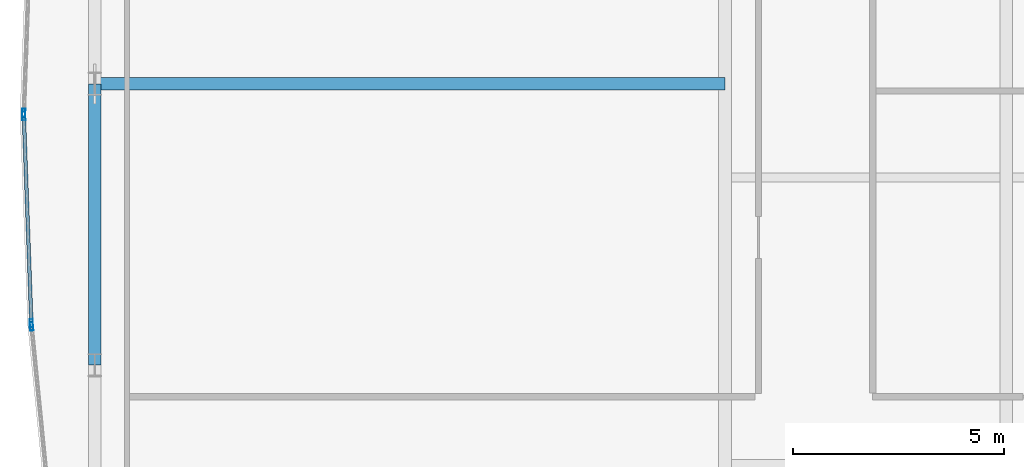
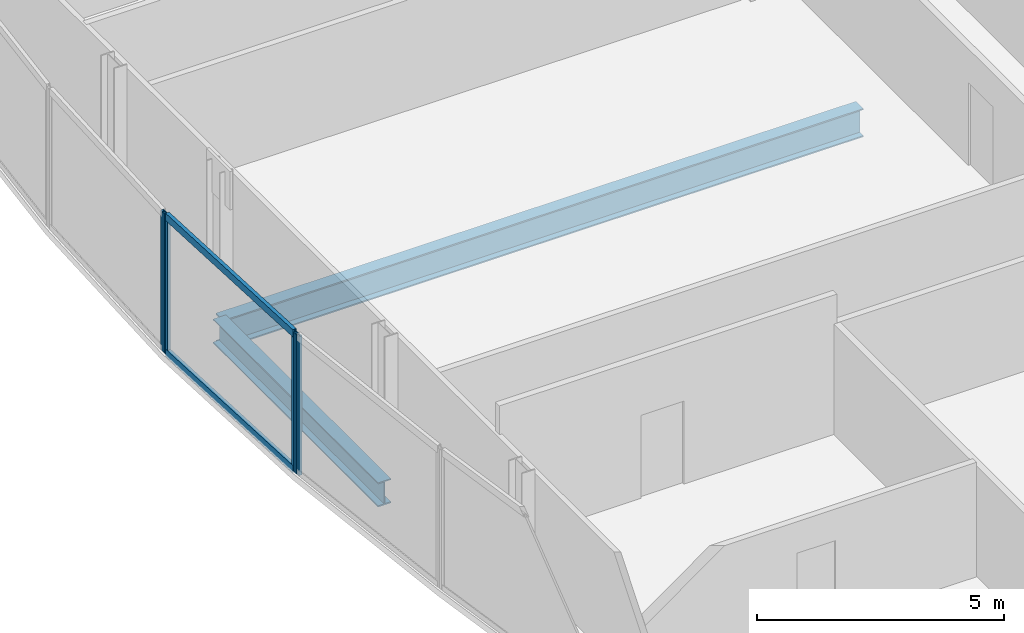
# One storey, part 10 of 32: 6 members, 2 beams, 3 elements without a shape of their own.
"""IFC4 building model written with IfcOpenShell, lengths in metres."""

from ifc_helpers import new_model, si_unit, direction, frame, origin, origin_2d, place, context, subcontext, project, spatial, hollow_rectangle, i_section, extrude, material, material_profile, profile_set, type_object, element, aggregate, save


model = new_model("IFC4")

# Units and contexts
model_context = context("Model", 3, precision=1e-05, world=origin(), true_north=direction((0.0, 1.0)))
body_context = subcontext(model_context, "Body", "Model", "MODEL_VIEW")
ifc_project = project(units=[si_unit("LENGTHUNIT", "METRE"), si_unit("AREAUNIT", "SQUARE_METRE"), si_unit("VOLUMEUNIT", "CUBIC_METRE"), si_unit("PLANEANGLEUNIT", "RADIAN"), si_unit("MASSUNIT", "GRAM", prefix="KILO")], contexts=[model_context])

# Site, building, storey
site_placement = place(None, origin())
site = spatial("IfcSite", under=ifc_project, at=site_placement, CompositionType="ELEMENT")
building_placement = place(site_placement, origin())
building = spatial("IfcBuilding", under=site, at=building_placement, Name="Khoronbel Lancet Exchange", CompositionType="ELEMENT")
storey_placement = place(building_placement, frame((0.0, 0.0, 125.39990234375)))
storey = spatial("IfcBuildingStorey", under=building, at=storey_placement, Name="L30", CompositionType="ELEMENT", Elevation=125.39990234375)

# Beams
ifc_material_1 = material(Name="Steel S355", Category="steel")
ifc_material_profile_1 = material_profile(ifc_material_1, i_section(OverallWidth=0.300048828125, OverallDepth=0.699951171875, WebThickness=0.01708984375, FlangeThickness=0.031982421875, at=origin_2d()), Name="HEB 700")
ifc_profile_set_1 = profile_set([ifc_material_profile_1], Name="Steel S355")
beam_type_1 = type_object("IfcBeamType", Name="BM-BG3", PredefinedType="BEAM", material=ifc_profile_set_1)
beam_1_placement = place(storey_placement, frame((3.27001953125, 31.425048828125, -0.510009765625), z_axis=(1.0, 0.0, 0.0), x_axis=(0.0, 1.0, 0.0)))
element("IfcBeam", 1, at=beam_1_placement, inside=storey, type_object=beam_type_1, Name="Level L30 west lens tie girder LG2W", PredefinedType="BEAM", context=body_context, shape_type="SweptSolid", body=[
    extrude(i_section(OverallWidth=0.300048828125, OverallDepth=0.699951171875, WebThickness=0.01708984375, FlangeThickness=0.031982421875, at=origin_2d()), origin(), (0.0, 0.0, 1.0), 14.955078125),
])
ifc_material_profile_2 = material_profile(ifc_material_1, i_section(OverallWidth=0.300048828125, OverallDepth=0.60009765625, WebThickness=0.015380859375, FlangeThickness=0.030029296875, at=origin_2d()), Name="HEB 600")
ifc_profile_set_2 = profile_set([ifc_material_profile_2], Name="Steel S355")
beam_type_2 = type_object("IfcBeamType", Name="BM-BSP2", PredefinedType="SPANDREL", material=ifc_profile_set_2)
beam_2_placement = place(storey_placement, frame((3.27001953125, 31.425048828125, -0.4599609375), z_axis=(0.0, -1.0, 0.0), x_axis=(1.0, 0.0, 0.0)))
element("IfcBeam", 2, at=beam_2_placement, inside=storey, type_object=beam_type_2, Name="Level L30 perimeter spandrel beam SP19", PredefinedType="SPANDREL", context=body_context, shape_type="SweptSolid", body=[
    extrude(i_section(OverallWidth=0.300048828125, OverallDepth=0.60009765625, WebThickness=0.015380859375, FlangeThickness=0.030029296875, at=origin_2d()), origin(), (0.0, 0.0, 1.0), 6.675048828125),
])

# Curtain wall, member
ifc_material_2 = material(Name="Low-E Solar Control Insulating Glass", Category="glass")
curtain_wall_type = type_object("IfcCurtainWallType", Name="CW-4", PredefinedType="NOTDEFINED", material=ifc_material_2)
curtain_wall_1_placement = place(storey_placement, origin())
curtain_wall_1 = element("IfcCurtainWall", 3, at=curtain_wall_1_placement, inside=storey, type_object=curtain_wall_type, Name="Unitised curtain wall CW-L30-E05", PredefinedType="NOTDEFINED")
ifc_material_3 = material(Name="Bronze-Anodised Aluminium 6063-T6", Category="aluminium")
ifc_material_profile_3 = material_profile(ifc_material_3, hollow_rectangle(XDim=0.074951171875, YDim=0.199951171875, WallThickness=0.0048828125, at=origin_2d()), Name="ALU MULLION 75x200")
ifc_profile_set_3 = profile_set([ifc_material_profile_3], Name="Bronze-Anodised Aluminium 6063-T6")
member_type_1 = type_object("IfcMemberType", Name="MEM-CWM2", PredefinedType="MULLION", material=ifc_profile_set_3)
member_1_placement = place(storey_placement, frame((1.769775390625, 25.668701171875, 0.0), z_axis=(0.0, 0.0, 1.0), x_axis=(-0.99511302808, -0.098742398922, 0.0)))
member_1 = element("IfcMember", 4, at=member_1_placement, type_object=member_type_1, Name="CW4 mullion 2", PredefinedType="MULLION", context=body_context, shape_type="SweptSolid", body=[
    extrude(hollow_rectangle(XDim=0.074951171875, YDim=0.199951171875, WallThickness=0.0048828125, at=origin_2d()), origin(), (0.0, 0.0, 1.0), 3.440185546875),
])
aggregate(curtain_wall_1, [member_1])

# Curtain wall, members
curtain_wall_2_placement = place(storey_placement, origin())
curtain_wall_2 = element("IfcCurtainWall", 5, at=curtain_wall_2_placement, inside=storey, type_object=curtain_wall_type, Name="Unitised curtain wall CW-L30-E06", PredefinedType="NOTDEFINED")
member_2_placement = place(storey_placement, frame((1.7646484375, 25.74365234375, 0.0), z_axis=(0.0, 0.0, 1.0), x_axis=(-0.999341649928, -0.036280390298, 0.0)))
member_2 = element("IfcMember", 6, at=member_2_placement, type_object=member_type_1, Name="CW4 mullion 1", PredefinedType="MULLION", context=body_context, shape_type="SweptSolid", body=[
    extrude(hollow_rectangle(XDim=0.074951171875, YDim=0.199951171875, WallThickness=0.0048828125, at=origin_2d()), origin(), (0.0, 0.0, 1.0), 3.440185546875),
])
member_3_placement = place(storey_placement, frame((1.586181640625, 30.66259765625, 0.0), z_axis=(0.0, 0.0, 1.0), x_axis=(-0.999341649928, -0.036280390298, 0.0)))
member_3 = element("IfcMember", 7, at=member_3_placement, type_object=member_type_1, Name="CW4 mullion 2", PredefinedType="MULLION", context=body_context, shape_type="SweptSolid", body=[
    extrude(hollow_rectangle(XDim=0.074951171875, YDim=0.199951171875, WallThickness=0.0048828125, at=origin_2d()), origin(), (0.0, 0.0, 1.0), 3.440185546875),
])

# Curtain wall, member
curtain_wall_3_placement = place(storey_placement, origin())
curtain_wall_3 = element("IfcCurtainWall", 8, at=curtain_wall_3_placement, inside=storey, type_object=curtain_wall_type, Name="Unitised curtain wall CW-L30-E07", PredefinedType="NOTDEFINED")
member_4_placement = place(storey_placement, frame((1.586181640625, 30.737548828125, 0.0), z_axis=(0.0, 0.0, 1.0), x_axis=(-0.999341649928, 0.036280390298, 0.0)))
member_4 = element("IfcMember", 9, at=member_4_placement, type_object=member_type_1, Name="CW4 mullion 1", PredefinedType="MULLION", context=body_context, shape_type="SweptSolid", body=[
    extrude(hollow_rectangle(XDim=0.074951171875, YDim=0.199951171875, WallThickness=0.0048828125, at=origin_2d()), origin(), (0.0, 0.0, 1.0), 3.440185546875),
])
aggregate(curtain_wall_3, [member_4])

# Member
ifc_material_profile_4 = material_profile(ifc_material_3, hollow_rectangle(XDim=0.0849609375, YDim=0.179931640625, WallThickness=0.0048828125, at=origin_2d()), Name="ALU TRANSOM 85x180")
ifc_profile_set_4 = profile_set([ifc_material_profile_4], Name="Bronze-Anodised Aluminium 6063-T6")
member_type_2 = type_object("IfcMemberType", Name="MEM-CWT1", PredefinedType="USERDEFINED", material=ifc_profile_set_4)
member_5_placement = place(storey_placement, frame((1.76318359375, 25.781005859375, 0.04248046875), z_axis=(-0.036264623758, 0.999342222196, 0.0), x_axis=(-0.999342222196, -0.036264623758, 0.0)))
member_5 = element("IfcMember", 10, at=member_5_placement, type_object=member_type_2, Name="CW4 transom 1.1", ObjectType="TRANSOM", PredefinedType="USERDEFINED", context=body_context, shape_type="SweptSolid", body=[
    extrude(hollow_rectangle(XDim=0.0849609375, YDim=0.179931640625, WallThickness=0.0048828125, at=origin_2d()), origin(), (0.0, 0.0, 1.0), 4.84716796875),
])

member_6_placement = place(storey_placement, frame((1.76318359375, 25.781005859375, 3.397705078125), z_axis=(-0.036264623758, 0.999342222196, 0.0), x_axis=(-0.999342222196, -0.036264623758, 0.0)))
member_6 = element("IfcMember", 11, at=member_6_placement, type_object=member_type_2, Name="CW4 transom 1.2", ObjectType="TRANSOM", PredefinedType="USERDEFINED", context=body_context, shape_type="SweptSolid", body=[
    extrude(hollow_rectangle(XDim=0.0849609375, YDim=0.179931640625, WallThickness=0.0048828125, at=origin_2d()), origin(), (0.0, 0.0, 1.0), 4.84716796875),
])

aggregate(curtain_wall_2, [member_2, member_3, member_5, member_6])

save(model, "model.ifc")
